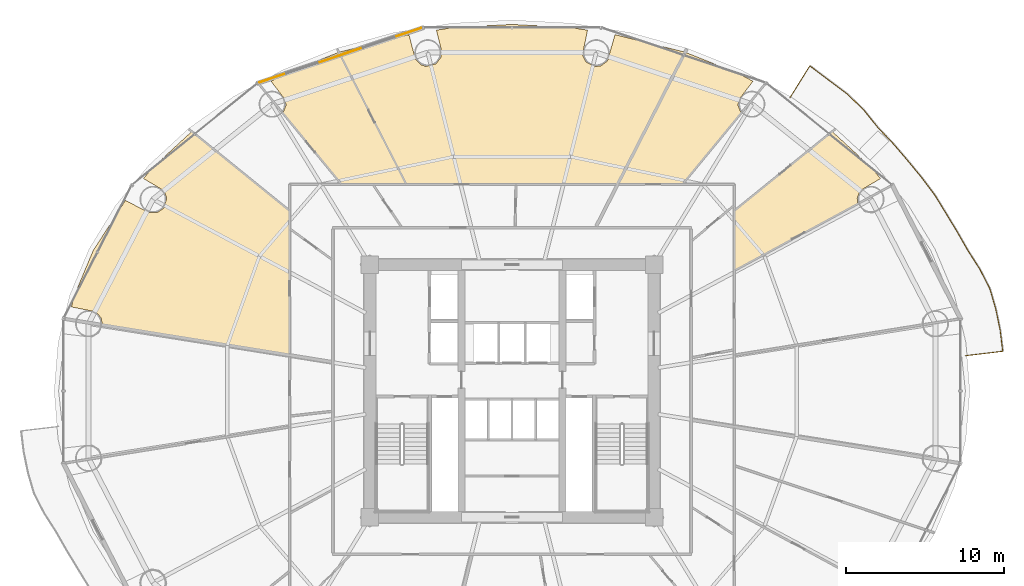
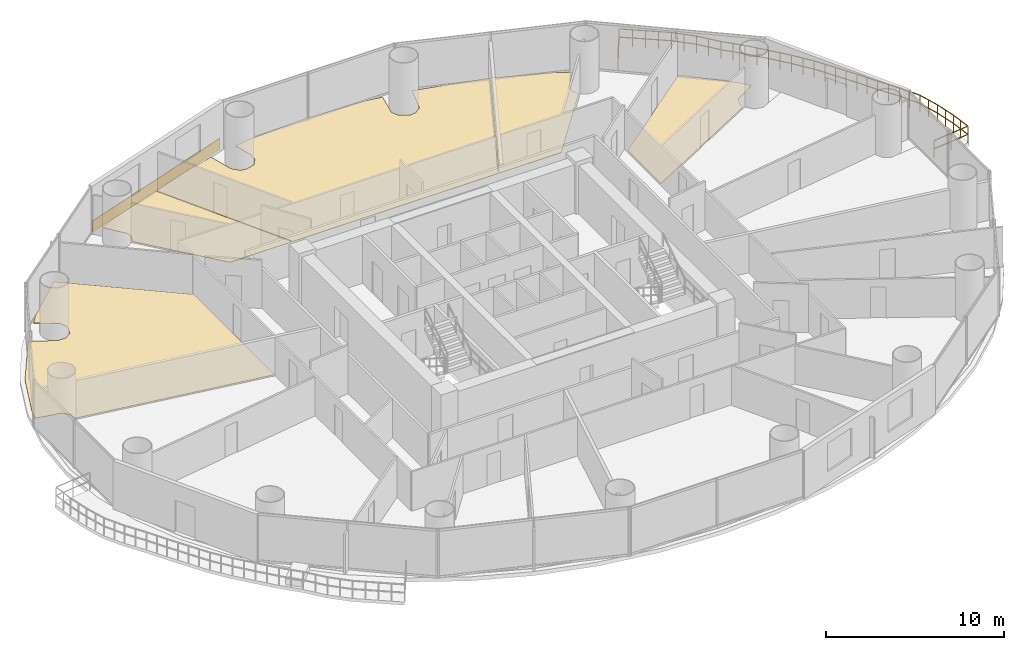
# One storey, part 30 of 30: 6 coverings, 1 railing.
"""IFC4 building model written with IfcOpenShell, lengths in metres."""

from ifc_helpers import new_model, si_unit, direction, frame, origin, origin_2d, place, context, subcontext, project, spatial, polyline, rectangle, outline, extrude, source, transform, mapped, material, layer, layer_set, type_object, element, save


model = new_model("IFC4")

# Units and contexts
model_context = context("Model", 3, precision=1e-05, world=origin(), true_north=direction((-0.2419218956, 0.970295726276)))
body_context = subcontext(model_context, "Body", "Model", "MODEL_VIEW")
ifc_project = project(units=[si_unit("LENGTHUNIT", "METRE"), si_unit("AREAUNIT", "SQUARE_METRE"), si_unit("VOLUMEUNIT", "CUBIC_METRE"), si_unit("PLANEANGLEUNIT", "RADIAN"), si_unit("MASSUNIT", "GRAM", prefix="KILO")], contexts=[model_context])

# Site, building, storey
site_placement = place(None, origin())
site = spatial("IfcSite", under=ifc_project, at=site_placement, CompositionType="ELEMENT")
building_placement = place(site_placement, origin())
building = spatial("IfcBuilding", under=site, at=building_placement, Name="Cobrevalo Terracotta Tower", CompositionType="ELEMENT")
storey_placement = place(building_placement, frame((0.0, 0.0, 27.60009765625)))
storey = spatial("IfcBuildingStorey", under=building, at=storey_placement, Name="L06", CompositionType="ELEMENT", Elevation=27.60009765625)

# Railing
ifc_material_1 = material(Name="Laminated structural glass and stainless steel", Category="steel")
railing_type = type_object("IfcRailingType", Name="Balcony lobe structural glass & terracotta-cap balustrade 1180 mm", PredefinedType="BALUSTRADE", material=ifc_material_1)
railing_placement = place(storey_placement, frame((66.72900390625, 29.033935546875, 0.0)))
element("IfcRailing", 1, at=railing_placement, inside=storey, type_object=railing_type, Name="L06 spiralling balcony lobe balustrade 1", PredefinedType="BALUSTRADE", context=body_context, shape_type="SweptSolid", body=[
    extrude(rectangle(XDim=0.048095703125, YDim=0.048095703125, at=origin_2d()), frame((0.0, 0.0, 1.15576171875), z_axis=(0.993082297027, 0.117420404239, 0.0), x_axis=(-0.117420404239, 0.993082297027, 0.0)), (0.0, 0.0, 1.0), 2.372314453125),
    extrude(rectangle(XDim=0.048095703125, YDim=0.048095703125, at=origin_2d()), frame((0.0, 0.0, 0.58984375), z_axis=(0.993082297027, 0.117420404239, 0.0), x_axis=(-0.117420404239, 0.993082297027, 0.0)), (0.0, 0.0, 1.0), 2.372314453125),
    extrude(rectangle(XDim=0.048095703125, YDim=0.048095703125, at=origin_2d()), frame((2.35595703125, 0.278564453125, 1.15576171875), z_axis=(-0.121810088984, 0.992553425374, 0.0), x_axis=(-0.992553425374, -0.121810088984, 0.0)), (0.0, 0.0, 1.0), 1.350830078125),
    extrude(rectangle(XDim=0.048095703125, YDim=0.048095703125, at=origin_2d()), frame((2.35595703125, 0.278564453125, 0.58984375), z_axis=(-0.121810088984, 0.992553425374, 0.0), x_axis=(-0.992553425374, -0.121810088984, 0.0)), (0.0, 0.0, 1.0), 1.350830078125),
    extrude(rectangle(XDim=0.048095703125, YDim=0.048095703125, at=origin_2d()), frame((2.19140625, 1.619384765625, 1.15576171875), z_axis=(-0.202629322205, 0.979255512, 0.0), x_axis=(-0.979255512, -0.202629322205, 0.0)), (0.0, 0.0, 1.0), 1.361572265625),
    extrude(rectangle(XDim=0.048095703125, YDim=0.048095703125, at=origin_2d()), frame((2.19140625, 1.619384765625, 0.58984375), z_axis=(-0.202629322205, 0.979255512, 0.0), x_axis=(-0.979255512, -0.202629322205, 0.0)), (0.0, 0.0, 1.0), 1.361572265625),
    extrude(rectangle(XDim=0.048095703125, YDim=0.048095703125, at=origin_2d()), frame((1.91552734375, 2.95263671875, 1.15576171875), z_axis=(-0.28012411419, 0.959963791322, 0.0), x_axis=(-0.959963791322, -0.28012411419, 0.0)), (0.0, 0.0, 1.0), 1.359619140625),
    extrude(rectangle(XDim=0.048095703125, YDim=0.048095703125, at=origin_2d()), frame((1.91552734375, 2.95263671875, 0.58984375), z_axis=(-0.28012411419, 0.959963791322, 0.0), x_axis=(-0.959963791322, -0.28012411419, 0.0)), (0.0, 0.0, 1.0), 1.359619140625),
    extrude(rectangle(XDim=0.048095703125, YDim=0.048095703125, at=origin_2d()), frame((1.53466796875, 4.2578125, 1.15576171875), z_axis=(-0.458521017141, 0.888683563953, 0.0), x_axis=(-0.888683563953, -0.458521017141, 0.0)), (0.0, 0.0, 1.0), 1.37744140625),
    extrude(rectangle(XDim=0.048095703125, YDim=0.048095703125, at=origin_2d()), frame((1.53466796875, 4.2578125, 0.58984375), z_axis=(-0.458521017141, 0.888683563953, 0.0), x_axis=(-0.888683563953, -0.458521017141, 0.0)), (0.0, 0.0, 1.0), 1.37744140625),
    extrude(rectangle(XDim=0.048095703125, YDim=0.048095703125, at=origin_2d()), frame((0.903076171875, 5.48193359375, 1.15576171875), z_axis=(-0.538455638545, 0.842653858544, 0.0), x_axis=(-0.842653858544, -0.538455638545, 0.0)), (0.0, 0.0, 1.0), 1.37890625),
    extrude(rectangle(XDim=0.048095703125, YDim=0.048095703125, at=origin_2d()), frame((0.903076171875, 5.48193359375, 0.58984375), z_axis=(-0.538455638545, 0.842653858544, 0.0), x_axis=(-0.842653858544, -0.538455638545, 0.0)), (0.0, 0.0, 1.0), 1.37890625),
    extrude(rectangle(XDim=0.048095703125, YDim=0.048095703125, at=origin_2d()), frame((0.16064453125, 6.643798828125, 1.15576171875), z_axis=(-0.496528060662, 0.868020670823, 0.0), x_axis=(-0.868020670823, -0.496528060662, 0.0)), (0.0, 0.0, 1.0), 1.35107421875),
    extrude(rectangle(XDim=0.048095703125, YDim=0.048095703125, at=origin_2d()), frame((0.16064453125, 6.643798828125, 0.58984375), z_axis=(-0.496528060662, 0.868020670823, 0.0), x_axis=(-0.868020670823, -0.496528060662, 0.0)), (0.0, 0.0, 1.0), 1.35107421875),
    extrude(rectangle(XDim=0.048095703125, YDim=0.048095703125, at=origin_2d()), frame((-0.51025390625, 7.816650390625, 1.15576171875), z_axis=(-0.518088041916, 0.855327294562, 0.0), x_axis=(-0.855327294562, -0.518088041916, 0.0)), (0.0, 0.0, 1.0), 1.367431640625),
    extrude(rectangle(XDim=0.048095703125, YDim=0.048095703125, at=origin_2d()), frame((-0.51025390625, 7.816650390625, 0.58984375), z_axis=(-0.518088041916, 0.855327294562, 0.0), x_axis=(-0.855327294562, -0.518088041916, 0.0)), (0.0, 0.0, 1.0), 1.367431640625),
    extrude(rectangle(XDim=0.048095703125, YDim=0.048095703125, at=origin_2d()), frame((-1.21875, 8.986328125, 1.15576171875), z_axis=(-0.521811507393, 0.853060813045, 0.0), x_axis=(-0.853060813045, -0.521811507393, 0.0)), (0.0, 0.0, 1.0), 1.36572265625),
    extrude(rectangle(XDim=0.048095703125, YDim=0.048095703125, at=origin_2d()), frame((-1.21875, 8.986328125, 0.58984375), z_axis=(-0.521811507393, 0.853060813045, 0.0), x_axis=(-0.853060813045, -0.521811507393, 0.0)), (0.0, 0.0, 1.0), 1.36572265625),
    extrude(rectangle(XDim=0.048095703125, YDim=0.048095703125, at=origin_2d()), frame((-1.931396484375, 10.1513671875, 1.15576171875), z_axis=(-0.597425657209, 0.801924300735, 0.0), x_axis=(-0.801924300735, -0.597425657209, 0.0)), (0.0, 0.0, 1.0), 1.382568359375),
    extrude(rectangle(XDim=0.048095703125, YDim=0.048095703125, at=origin_2d()), frame((-1.931396484375, 10.1513671875, 0.58984375), z_axis=(-0.597425657209, 0.801924300735, 0.0), x_axis=(-0.801924300735, -0.597425657209, 0.0)), (0.0, 0.0, 1.0), 1.382568359375),
    extrude(rectangle(XDim=0.048095703125, YDim=0.048095703125, at=origin_2d()), frame((-2.75732421875, 11.260009765625, 1.15576171875), z_axis=(-0.636216311347, 0.771510729138, 0.0), x_axis=(-0.771510729138, -0.636216311347, 0.0)), (0.0, 0.0, 1.0), 1.394775390625),
    extrude(rectangle(XDim=0.048095703125, YDim=0.048095703125, at=origin_2d()), frame((-2.75732421875, 11.260009765625, 0.58984375), z_axis=(-0.636216311347, 0.771510729138, 0.0), x_axis=(-0.771510729138, -0.636216311347, 0.0)), (0.0, 0.0, 1.0), 1.394775390625),
    extrude(rectangle(XDim=0.048095703125, YDim=0.048095703125, at=origin_2d()), frame((-3.644775390625, 12.336181640625, 1.15576171875), z_axis=(-0.648785685182, 0.760971178628, 0.0), x_axis=(-0.760971178628, -0.648785685182, 0.0)), (0.0, 0.0, 1.0), 1.39501953125),
    extrude(rectangle(XDim=0.048095703125, YDim=0.048095703125, at=origin_2d()), frame((-3.644775390625, 12.336181640625, 0.58984375), z_axis=(-0.648785685182, 0.760971178628, 0.0), x_axis=(-0.760971178628, -0.648785685182, 0.0)), (0.0, 0.0, 1.0), 1.39501953125),
    extrude(rectangle(XDim=0.048095703125, YDim=0.048095703125, at=origin_2d()), frame((-4.5498046875, 13.397705078125, 1.15576171875), z_axis=(-0.689638105372, 0.724154184977, 0.0), x_axis=(-0.724154184977, -0.689638105372, 0.0)), (0.0, 0.0, 1.0), 1.4287109375),
    extrude(rectangle(XDim=0.048095703125, YDim=0.048095703125, at=origin_2d()), frame((-4.5498046875, 13.397705078125, 0.58984375), z_axis=(-0.689638105372, 0.724154184977, 0.0), x_axis=(-0.724154184977, -0.689638105372, 0.0)), (0.0, 0.0, 1.0), 1.4287109375),
    extrude(rectangle(XDim=0.048095703125, YDim=0.048095703125, at=origin_2d()), frame((-5.53515625, 14.432373046875, 1.15576171875), z_axis=(-0.626474913653, 0.779441583805, 0.0), x_axis=(-0.779441583805, -0.626474913653, 0.0)), (0.0, 0.0, 1.0), 1.4541015625),
    extrude(rectangle(XDim=0.048095703125, YDim=0.048095703125, at=origin_2d()), frame((-5.53515625, 14.432373046875, 0.58984375), z_axis=(-0.626474913653, 0.779441583805, 0.0), x_axis=(-0.779441583805, -0.626474913653, 0.0)), (0.0, 0.0, 1.0), 1.4541015625),
    extrude(rectangle(XDim=0.048095703125, YDim=0.048095703125, at=origin_2d()), frame((-6.446044921875, 15.565673828125, 1.15576171875), z_axis=(-0.71884396344, 0.69517145815, 0.0), x_axis=(-0.69517145815, -0.71884396344, 0.0)), (0.0, 0.0, 1.0), 1.464599609375),
    extrude(rectangle(XDim=0.048095703125, YDim=0.048095703125, at=origin_2d()), frame((-6.446044921875, 15.565673828125, 0.58984375), z_axis=(-0.71884396344, 0.69517145815, 0.0), x_axis=(-0.69517145815, -0.71884396344, 0.0)), (0.0, 0.0, 1.0), 1.464599609375),
    extrude(rectangle(XDim=0.048095703125, YDim=0.048095703125, at=origin_2d()), frame((-7.498779296875, 16.583740234375, 1.15576171875), z_axis=(-0.800633195987, 0.59915480928, 0.0), x_axis=(-0.59915480928, -0.800633195987, 0.0)), (0.0, 0.0, 1.0), 1.4794921875),
    extrude(rectangle(XDim=0.048095703125, YDim=0.048095703125, at=origin_2d()), frame((-7.498779296875, 16.583740234375, 0.58984375), z_axis=(-0.800633195987, 0.59915480928, 0.0), x_axis=(-0.59915480928, -0.800633195987, 0.0)), (0.0, 0.0, 1.0), 1.4794921875),
    extrude(rectangle(XDim=0.048095703125, YDim=0.048095703125, at=origin_2d()), frame((-8.683349609375, 17.47021484375, 1.15576171875), z_axis=(-0.79889126344, 0.601475476806, 0.0), x_axis=(-0.601475476806, -0.79889126344, 0.0)), (0.0, 0.0, 1.0), 1.4814453125),
    extrude(rectangle(XDim=0.048095703125, YDim=0.048095703125, at=origin_2d()), frame((-8.683349609375, 17.47021484375, 0.58984375), z_axis=(-0.79889126344, 0.601475476806, 0.0), x_axis=(-0.601475476806, -0.79889126344, 0.0)), (0.0, 0.0, 1.0), 1.4814453125),
    extrude(rectangle(XDim=0.048095703125, YDim=0.048095703125, at=origin_2d()), frame((-9.866943359375, 18.361328125, 1.15576171875), z_axis=(-0.528820193884, -0.848733882051, 0.0), x_axis=(0.848733882051, -0.528820193884, 0.0)), (0.0, 0.0, 1.0), 2.384033203125),
    extrude(rectangle(XDim=0.048095703125, YDim=0.048095703125, at=origin_2d()), frame((-9.866943359375, 18.361328125, 0.58984375), z_axis=(-0.528820193884, -0.848733882051, 0.0), x_axis=(0.848733882051, -0.528820193884, 0.0)), (0.0, 0.0, 1.0), 2.384033203125),
    extrude(rectangle(XDim=0.0419921875, YDim=0.0419921875, at=origin_2d()), origin(), (0.0, 0.0, 1.0), 1.1318359375),
    extrude(rectangle(XDim=0.0419921875, YDim=0.0419921875, at=origin_2d()), frame((1.177978515625, 0.13916015625, 0.0)), (0.0, 0.0, 1.0), 1.1318359375),
    extrude(rectangle(XDim=0.0419921875, YDim=0.0419921875, at=origin_2d()), frame((2.35595703125, 0.278564453125, 0.0)), (0.0, 0.0, 1.0), 1.1318359375),
    extrude(rectangle(XDim=0.0419921875, YDim=0.0419921875, at=origin_2d()), frame((2.273681640625, 0.948974609375, 0.0)), (0.0, 0.0, 1.0), 1.1318359375),
    extrude(rectangle(XDim=0.0419921875, YDim=0.0419921875, at=origin_2d()), frame((2.19140625, 1.619384765625, 0.0)), (0.0, 0.0, 1.0), 1.1318359375),
    extrude(rectangle(XDim=0.0419921875, YDim=0.0419921875, at=origin_2d()), frame((2.053466796875, 2.2861328125, 0.0)), (0.0, 0.0, 1.0), 1.1318359375),
    extrude(rectangle(XDim=0.0419921875, YDim=0.0419921875, at=origin_2d()), frame((1.91552734375, 2.95263671875, 0.0)), (0.0, 0.0, 1.0), 1.1318359375),
    extrude(rectangle(XDim=0.0419921875, YDim=0.0419921875, at=origin_2d()), frame((1.72509765625, 3.605224609375, 0.0)), (0.0, 0.0, 1.0), 1.1318359375),
    extrude(rectangle(XDim=0.0419921875, YDim=0.0419921875, at=origin_2d()), frame((1.53466796875, 4.2578125, 0.0)), (0.0, 0.0, 1.0), 1.1318359375),
    extrude(rectangle(XDim=0.0419921875, YDim=0.0419921875, at=origin_2d()), frame((1.21875, 4.869873046875, 0.0)), (0.0, 0.0, 1.0), 1.1318359375),
    extrude(rectangle(XDim=0.0419921875, YDim=0.0419921875, at=origin_2d()), frame((0.903076171875, 5.48193359375, 0.0)), (0.0, 0.0, 1.0), 1.1318359375),
    extrude(rectangle(XDim=0.0419921875, YDim=0.0419921875, at=origin_2d()), frame((0.53173828125, 6.06298828125, 0.0)), (0.0, 0.0, 1.0), 1.1318359375),
    extrude(rectangle(XDim=0.0419921875, YDim=0.0419921875, at=origin_2d()), frame((0.16064453125, 6.643798828125, 0.0)), (0.0, 0.0, 1.0), 1.1318359375),
    extrude(rectangle(XDim=0.0419921875, YDim=0.0419921875, at=origin_2d()), frame((-0.1748046875, 7.230224609375, 0.0)), (0.0, 0.0, 1.0), 1.1318359375),
    extrude(rectangle(XDim=0.0419921875, YDim=0.0419921875, at=origin_2d()), frame((-0.51025390625, 7.816650390625, 0.0)), (0.0, 0.0, 1.0), 1.1318359375),
    extrude(rectangle(XDim=0.0419921875, YDim=0.0419921875, at=origin_2d()), frame((-0.864501953125, 8.4013671875, 0.0)), (0.0, 0.0, 1.0), 1.1318359375),
    extrude(rectangle(XDim=0.0419921875, YDim=0.0419921875, at=origin_2d()), frame((-1.21875, 8.986328125, 0.0)), (0.0, 0.0, 1.0), 1.1318359375),
    extrude(rectangle(XDim=0.0419921875, YDim=0.0419921875, at=origin_2d()), frame((-1.5751953125, 9.56884765625, 0.0)), (0.0, 0.0, 1.0), 1.1318359375),
    extrude(rectangle(XDim=0.0419921875, YDim=0.0419921875, at=origin_2d()), frame((-1.931396484375, 10.1513671875, 0.0)), (0.0, 0.0, 1.0), 1.1318359375),
    extrude(rectangle(XDim=0.0419921875, YDim=0.0419921875, at=origin_2d()), frame((-2.34423828125, 10.70556640625, 0.0)), (0.0, 0.0, 1.0), 1.1318359375),
    extrude(rectangle(XDim=0.0419921875, YDim=0.0419921875, at=origin_2d()), frame((-2.75732421875, 11.260009765625, 0.0)), (0.0, 0.0, 1.0), 1.1318359375),
    extrude(rectangle(XDim=0.0419921875, YDim=0.0419921875, at=origin_2d()), frame((-3.201171875, 11.798095703125, 0.0)), (0.0, 0.0, 1.0), 1.1318359375),
    extrude(rectangle(XDim=0.0419921875, YDim=0.0419921875, at=origin_2d()), frame((-3.644775390625, 12.336181640625, 0.0)), (0.0, 0.0, 1.0), 1.1318359375),
    extrude(rectangle(XDim=0.0419921875, YDim=0.0419921875, at=origin_2d()), frame((-4.09716796875, 12.866943359375, 0.0)), (0.0, 0.0, 1.0), 1.1318359375),
    extrude(rectangle(XDim=0.0419921875, YDim=0.0419921875, at=origin_2d()), frame((-4.5498046875, 13.397705078125, 0.0)), (0.0, 0.0, 1.0), 1.1318359375),
    extrude(rectangle(XDim=0.0419921875, YDim=0.0419921875, at=origin_2d()), frame((-5.04248046875, 13.9150390625, 0.0)), (0.0, 0.0, 1.0), 1.1318359375),
    extrude(rectangle(XDim=0.0419921875, YDim=0.0419921875, at=origin_2d()), frame((-5.53515625, 14.432373046875, 0.0)), (0.0, 0.0, 1.0), 1.1318359375),
    extrude(rectangle(XDim=0.0419921875, YDim=0.0419921875, at=origin_2d()), frame((-5.99072265625, 14.9990234375, 0.0)), (0.0, 0.0, 1.0), 1.1318359375),
    extrude(rectangle(XDim=0.0419921875, YDim=0.0419921875, at=origin_2d()), frame((-6.446044921875, 15.565673828125, 0.0)), (0.0, 0.0, 1.0), 1.1318359375),
    extrude(rectangle(XDim=0.0419921875, YDim=0.0419921875, at=origin_2d()), frame((-6.972412109375, 16.07470703125, 0.0)), (0.0, 0.0, 1.0), 1.1318359375),
    extrude(rectangle(XDim=0.0419921875, YDim=0.0419921875, at=origin_2d()), frame((-7.498779296875, 16.583740234375, 0.0)), (0.0, 0.0, 1.0), 1.1318359375),
    extrude(rectangle(XDim=0.0419921875, YDim=0.0419921875, at=origin_2d()), frame((-8.091064453125, 17.02685546875, 0.0)), (0.0, 0.0, 1.0), 1.1318359375),
    extrude(rectangle(XDim=0.0419921875, YDim=0.0419921875, at=origin_2d()), frame((-8.683349609375, 17.47021484375, 0.0)), (0.0, 0.0, 1.0), 1.1318359375),
    extrude(rectangle(XDim=0.0419921875, YDim=0.0419921875, at=origin_2d()), frame((-9.275146484375, 17.915771484375, 0.0)), (0.0, 0.0, 1.0), 1.1318359375),
    extrude(rectangle(XDim=0.0419921875, YDim=0.0419921875, at=origin_2d()), frame((-9.866943359375, 18.361328125, 0.0)), (0.0, 0.0, 1.0), 1.1318359375),
    extrude(rectangle(XDim=0.0419921875, YDim=0.0419921875, at=origin_2d()), frame((-10.497314453125, 17.349609375, 0.0)), (0.0, 0.0, 1.0), 1.1318359375),
    extrude(rectangle(XDim=0.0419921875, YDim=0.0419921875, at=origin_2d()), frame((-11.127685546875, 16.337890625, 0.0)), (0.0, 0.0, 1.0), 1.1318359375),
])

# Coverings
ifc_material_2 = material(Name="Engineered Brazilian hardwood flooring", Category="wood")
ifc_layer_1 = layer(ifc_material_2, 0.028076171875)
ifc_layer_set_1 = layer_set([ifc_layer_1], Name="Engineered Brazilian hardwood flooring")
covering_type_1 = type_object("IfcCoveringType", Name="Engineered Hardwood Suite Flooring 28", PredefinedType="FLOORING", material=ifc_layer_set_1)
covering_1_placement = place(storey_placement, origin())
element("IfcCovering", 2, at=covering_1_placement, inside=storey, type_object=covering_type_1, Name="Flat L06A Master Bedroom floor finish", PredefinedType="FLOORING", context=body_context, shape_type="SweptSolid", body=[
    extrude(outline(polyline([(58.298583984375, 43.222900390625), (60.786376953125, 40.933837890625), (61.34423828125, 40.2587890625), (60.060791015625, 39.497802734375), (59.864990234375, 39.02587890625), (59.90234375, 38.681884765625), (52.10498046875, 34.4599609375), (52.10498046875, 38.2041015625), (58.298583984375, 43.222900390625)])), origin(), (0.0, 0.0, 1.0), 0.02978515625),
])
covering_2_placement = place(storey_placement, origin())
element("IfcCovering", 3, at=covering_2_placement, inside=storey, type_object=covering_type_1, Name="Flat L06A Penthouse Family Lounge floor finish", PredefinedType="FLOORING", context=body_context, shape_type="SweptSolid", body=[
    extrude(outline(polyline([(48.9873046875, 48.251220703125), (52.361572265625, 46.908203125), (53.26318359375, 46.421142578125), (52.35498046875, 45.23095703125), (52.318115234375, 44.889404296875), (52.5048828125, 44.42236328125), (48.780029296875, 39.905029296875), (44.72119140625, 39.905029296875), (48.9873046875, 48.251220703125)])), origin(), (0.0, 0.0, 1.0), 0.02978515625),
])
covering_3_placement = place(storey_placement, origin())
element("IfcCovering", 4, at=covering_3_placement, inside=storey, type_object=covering_type_1, Name="Flat L06B Penthouse Living and Dining Room floor finish", PredefinedType="FLOORING", context=body_context, shape_type="SweptSolid", body=[
    extrude(outline(polyline([(31.472412109375, 49.37451171875), (31.8681640625, 47.85498046875), (32.210693359375, 47.475830078125), (32.533935546875, 47.35986328125), (33.1875, 47.5224609375), (33.492431640625, 47.932373046875), (33.5185546875, 48.44189453125), (33.21630859375, 49.65478515625), (34.250732421875, 49.8212890625), (38.0, 50.02001953125), (41.749267578125, 49.8212890625), (42.78369140625, 49.65478515625), (42.46533203125, 48.099853515625), (42.6845703125, 47.63818359375), (43.293701171875, 47.35107421875), (43.63330078125, 47.40185546875), (44.04345703125, 47.706787109375), (44.527587890625, 49.37451171875), (48.948974609375, 48.263671875), (44.67626953125, 39.905029296875), (31.32373046875, 39.905029296875), (27.051025390625, 48.263671875), (31.472412109375, 49.37451171875)])), origin(), (0.0, 0.0, 1.0), 0.02978515625),
])
covering_4_placement = place(storey_placement, origin())
element("IfcCovering", 5, at=covering_4_placement, inside=storey, type_object=covering_type_1, Name="Flat L06B Master Bedroom floor finish", PredefinedType="FLOORING", context=body_context, shape_type="SweptSolid", body=[
    extrude(outline(polyline([(23.4951171875, 44.42236328125), (23.681884765625, 44.889404296875), (23.64501953125, 45.23095703125), (22.73681640625, 46.421142578125), (23.638427734375, 46.908203125), (27.0126953125, 48.251220703125), (31.27880859375, 39.905029296875), (27.219970703125, 39.905029296875), (23.4951171875, 44.42236328125)])), origin(), (0.0, 0.0, 1.0), 0.02978515625),
])
covering_5_placement = place(storey_placement, origin())
element("IfcCovering", 6, at=covering_5_placement, inside=storey, type_object=covering_type_1, Name="Flat L06B Penthouse Family Lounge floor finish", PredefinedType="FLOORING", context=body_context, shape_type="SweptSolid", body=[
    extrude(outline(polyline([(13.511962890625, 38.87451171875), (15.00439453125, 38.096923828125), (15.51513671875, 38.09716796875), (15.93994140625, 38.38134765625), (16.135009765625, 39.02587890625), (15.939208984375, 39.497802734375), (14.65576171875, 40.2587890625), (15.213623046875, 40.933837890625), (17.701416015625, 43.222900390625), (23.89501953125, 38.2041015625), (23.89501953125, 29.09375), (12.04931640625, 31.003173828125), (11.974853515625, 31.4306640625), (11.6357421875, 31.81298828125), (10.090576171875, 32.126220703125), (10.25830078125, 32.80859375), (11.465576171875, 35.684326171875), (13.511962890625, 38.87451171875)])), origin(), (0.0, 0.0, 1.0), 0.02978515625),
])
ifc_material_3 = material(Name="Glazed terracotta facade cladding tile", Category="masonry")
ifc_layer_2 = layer(ifc_material_3, 0.044921875)
ifc_layer_set_2 = layer_set([ifc_layer_2], Name="Glazed terracotta facade cladding tile")
covering_type_2 = type_object("IfcCoveringType", Name="Architectural terracotta rainscreen spandrel cladding 45 mm", PredefinedType="CLADDING", material=ifc_layer_set_2)
shared_shape = source(origin(), body_context, "Body", "SweptSolid", [
    extrude(rectangle(XDim=10.8154296875, YDim=0.044921875, at=origin_2d()), origin(), (0.0, 0.0, 1.0), 0.760009765625),
])
covering_6_placement = place(storey_placement, frame((27.126708984375, 48.06689453125, 0.0400390625), z_axis=(0.0, 0.0, 1.0), x_axis=(-0.948044172593, -0.318138722592, 0.0)))
element("IfcCovering", 7, at=covering_6_placement, inside=storey, type_object=covering_type_2, Name="L06 terracotta spandrel cladding S05", PredefinedType="CLADDING", context=body_context, shape_type="MappedRepresentation", body=[
    mapped(shared_shape, transform((0.0, 0.0, 0.0), scale=1.0)),
])

save(model, "model.ifc")
